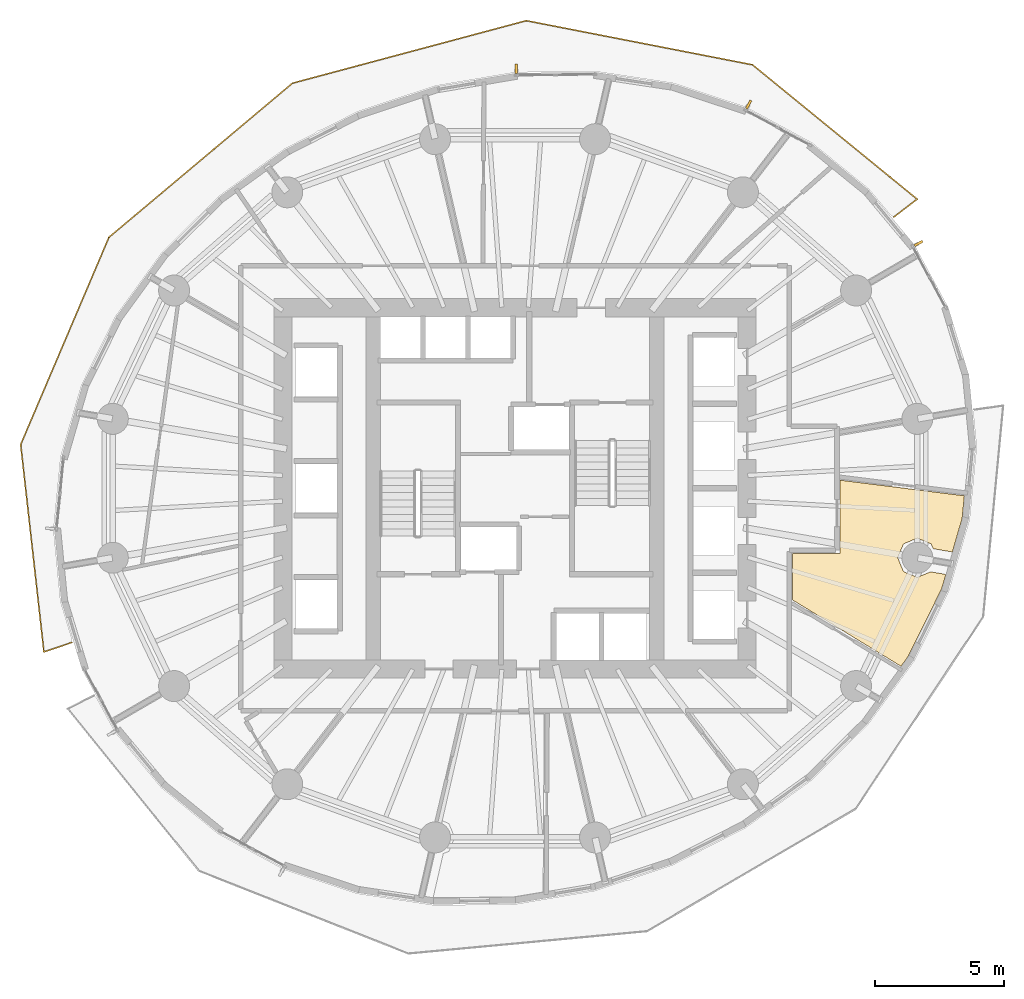
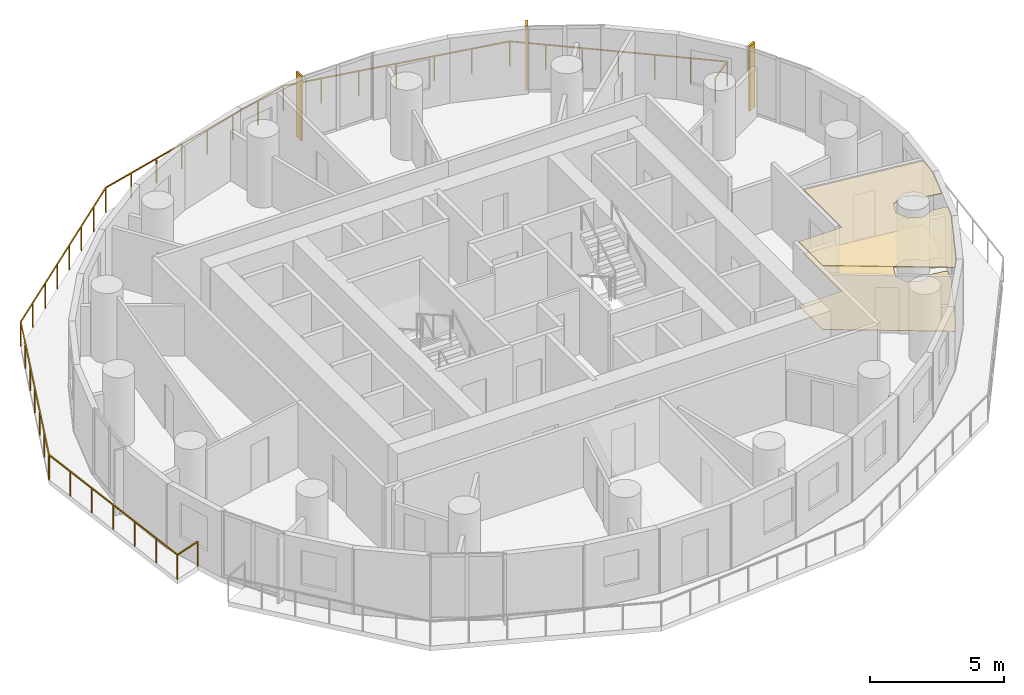
# One storey, part 14 of 14: 3 shading devices, 2 coverings, 1 railing.
"""IFC4 building model written with IfcOpenShell, lengths in metres."""

import ifcopenshell
import ifcopenshell.guid

model = None  # the IFC model being written
_history = None  # IfcOwnerHistory: only IFC2X3 demands one
_inside = {}  # id of a spatial element -> (the spatial element, [elements in it])
_under = {}  # id of a project, library or spatial element -> (it, [spatial elements below it])
_declared = {}  # id of a project -> (the project, [libraries it declares])
_typed = {}  # id of a type object -> (the type object, [elements of that type])
_made_of = {}  # id of a material, layer set ... -> (it, [elements and type objects made of it])


def new_model(schema):
    """Start an empty IFC model of exactly this schema.

    Asked for "IFC4X3", IfcOpenShell would pick the latest addendum, in which some entities
    have other attributes; the version numbers below select the first issue.
    IFC2X3 requires an IfcOwnerHistory on every rooted entity: one is made here for all.
    """
    global model, _history
    if schema == "IFC4X3":
        model = ifcopenshell.file(schema_version=(4, 3, 0, 0))
    else:
        model = ifcopenshell.file(schema=schema)
    _inside.clear()
    _under.clear()
    _declared.clear()
    _typed.clear()
    _made_of.clear()
    _history = None
    if model.schema == "IFC2X3":
        org = make("IfcOrganization", Name="unknown")
        user = make(
            "IfcPersonAndOrganization",
            ThePerson=make("IfcPerson", FamilyName="unknown"),
            TheOrganization=org,
        )
        app = make(
            "IfcApplication",
            ApplicationDeveloper=org,
            Version="unknown",
            ApplicationFullName="unknown",
            ApplicationIdentifier="unknown",
        )
        _history = make(
            "IfcOwnerHistory",
            OwningUser=user,
            OwningApplication=app,
            ChangeAction="ADDED",
            CreationDate=0,
        )
    return model


def make(cls, **values):
    """One entity of the class cls with the attributes given. An attribute that is None is left unset."""
    return model.create_entity(
        cls, **{name: value for name, value in values.items() if value is not None}
    )


def rooted(cls, **values):
    """An entity with a GlobalId (a new one), such as an element, a storey or a relation."""
    return make(cls, GlobalId=ifcopenshell.guid.new(), OwnerHistory=_history, **values)


def si_unit(unit_type, name, prefix=None):
    """IfcSIUnit, for example si_unit("LENGTHUNIT", "METRE", prefix="MILLI")."""
    return make("IfcSIUnit", UnitType=unit_type, Prefix=prefix, Name=name)


def assignment(units):
    """IfcUnitAssignment: the units of a project."""
    return None if units is None else make("IfcUnitAssignment", Units=units)


def point(xyz):
    """IfcCartesianPoint."""
    return None if xyz is None else make("IfcCartesianPoint", Coordinates=xyz)


def direction(xyz):
    """IfcDirection."""
    return None if xyz is None else make("IfcDirection", DirectionRatios=xyz)


def frame(location, z_axis=None, x_axis=None):
    """IfcAxis2Placement3D, a coordinate frame: its origin and axes. An axis left out is left unset."""
    return make(
        "IfcAxis2Placement3D",
        Location=point(location),
        Axis=direction(z_axis),
        RefDirection=direction(x_axis),
    )


def frame_2d(location, x_axis=None):
    """IfcAxis2Placement2D, a coordinate frame in the plane: its origin and x axis."""
    return make(
        "IfcAxis2Placement2D", Location=point(location), RefDirection=direction(x_axis)
    )


def origin():
    """The frame at (0, 0, 0) with its axes left unset."""
    return frame((0.0, 0.0, 0.0))


def origin_2d():
    """The frame at (0, 0) in the plane with its x axis left unset."""
    return frame_2d((0.0, 0.0))


def place(relative_to, where):
    """IfcLocalPlacement: puts the frame where relative to a parent placement (None: the world)."""
    return make(
        "IfcLocalPlacement", PlacementRelTo=relative_to, RelativePlacement=where
    )


def context(
    kind, dimensions, precision=None, world=None, true_north=None, identifier=None
):
    """IfcGeometricRepresentationContext, for example the 3D "Model" context."""
    return make(
        "IfcGeometricRepresentationContext",
        ContextIdentifier=identifier,
        ContextType=kind,
        CoordinateSpaceDimension=dimensions,
        Precision=precision,
        WorldCoordinateSystem=world,
        TrueNorth=true_north,
    )


def subcontext(parent, identifier, kind, view, scale=None):
    """IfcGeometricRepresentationSubContext, for example "Body" below "Model"."""
    return make(
        "IfcGeometricRepresentationSubContext",
        ContextIdentifier=identifier,
        ContextType=kind,
        ParentContext=parent,
        TargetScale=scale,
        TargetView=view,
    )


def project(units=None, contexts=None):
    """IfcProject with its units and contexts."""
    return rooted(
        "IfcProject",
        Name="project",
        RepresentationContexts=contexts,
        UnitsInContext=assignment(units),
    )


def spatial(cls, under=None, at=None, **own):
    """A site, building, storey or space (cls), placed at a placement, below another one or the project."""
    s = rooted(cls, ObjectPlacement=at, **own)
    if under is not None:
        _under.setdefault(under.id(), (under, []))[1].append(s)
    return s


def polyline(points):
    """IfcPolyline through the points."""
    return make("IfcPolyline", Points=[point(p) for p in points])


def profile(cls, at=None, kind="AREA", **sizes):
    """A parametric profile (cls). Its sizes go by their IFC names, for example OverallWidth=200.0."""
    return make(cls, ProfileType=kind, Position=at, **sizes)


def rectangle(**sizes):
    """IfcRectangleProfileDef."""
    return profile("IfcRectangleProfileDef", **sizes)


def outline(outer, holes=None, kind="AREA"):
    """IfcArbitraryClosedProfileDef: a profile drawn as a closed curve; with holes, ...WithVoids."""
    if holes is None:
        return make("IfcArbitraryClosedProfileDef", ProfileType=kind, OuterCurve=outer)
    return make(
        "IfcArbitraryProfileDefWithVoids",
        ProfileType=kind,
        OuterCurve=outer,
        InnerCurves=holes,
    )


def extrude(swept, where, along, depth):
    """IfcExtrudedAreaSolid: the profile swept, set in the frame where, extruded along a direction by depth."""
    return make(
        "IfcExtrudedAreaSolid",
        SweptArea=swept,
        Position=where,
        ExtrudedDirection=direction(along),
        Depth=depth,
    )


def shape(context_of_items, identifier, shape_type, items):
    """IfcShapeRepresentation: the items that make up one representation, for example the "Body"."""
    return make(
        "IfcShapeRepresentation",
        ContextOfItems=context_of_items,
        RepresentationIdentifier=identifier,
        RepresentationType=shape_type,
        Items=items,
    )


def material(Name=None, Category=None):
    """IfcMaterial."""
    return make("IfcMaterial", Name=Name, Category=Category)


def layer(
    of_material, thickness, ventilated=None, Name=None, Category=None, Priority=None
):
    """IfcMaterialLayer: one layer of a wall or slab, of a material (None: an air gap)."""
    return make(
        "IfcMaterialLayer",
        Material=of_material,
        LayerThickness=thickness,
        IsVentilated=ventilated,
        Name=Name,
        Category=Category,
        Priority=Priority,
    )


def layer_set(layers, Name=None):
    """IfcMaterialLayerSet."""
    return make("IfcMaterialLayerSet", MaterialLayers=layers, LayerSetName=Name)


def made_of(thing, what):
    """Note that an element or type object is made of a material, layer set ...; save() writes the relation."""
    if what is not None:
        _made_of.setdefault(what.id(), (what, []))[1].append(thing)
    return thing


def type_object(cls, material=None, **own):
    """A type object (cls), such as IfcWallType, which elements share."""
    return made_of(rooted(cls, **own), material)


def element(
    cls,
    number,
    at=None,
    inside=None,
    cuts=None,
    type_object=None,
    material=None,
    context=None,
    identifier="Body",
    shape_type=None,
    held_by="IfcProductDefinitionShape",
    body=None,
    shapes=None,
    **own,
):
    """One element of the class cls, such as IfcWall. Its Tag is "e" and its number.

    at: its placement. inside: the storey or other place that contains it. cuts: it is an
    opening in that element (IfcRelVoidsElement). A single representation is given by context,
    identifier, shape_type and body (its items); several are given by shapes. held_by: the class
    of the entity that holds the representations. save() writes the other relations.
    """
    e = rooted(cls, Tag="e%d" % number, ObjectPlacement=at, **own)
    if body is not None:
        shapes = [shape(context, identifier, shape_type, body)]
    if shapes is not None:
        e.Representation = make(held_by, Representations=shapes)
    if inside is not None:
        _inside.setdefault(inside.id(), (inside, []))[1].append(e)
    if cuts is not None:
        rooted(
            "IfcRelVoidsElement", RelatingBuildingElement=cuts, RelatedOpeningElement=e
        )
    if type_object is not None:
        _typed.setdefault(type_object.id(), (type_object, []))[1].append(e)
    return made_of(e, material)


def aggregate(whole, parts):
    """IfcRelAggregates: a whole, such as a stair, and the parts it consists of."""
    return rooted("IfcRelAggregates", RelatingObject=whole, RelatedObjects=parts)


def save(model, path):
    """Write the relations noted so far, then the file.

    IfcRelAggregates (storeys below a building ...), IfcRelContainedInSpatialStructure (elements
    in a storey), IfcRelDefinesByType, IfcRelAssociatesMaterial and IfcRelDeclares: one each for
    every whole, place, type object, material and project.
    """
    for whole, parts in _under.values():
        aggregate(whole, parts)
    for where, things in _inside.values():
        rooted(
            "IfcRelContainedInSpatialStructure",
            RelatedElements=things,
            RelatingStructure=where,
        )
    for kind, things in _typed.values():
        rooted("IfcRelDefinesByType", RelatedObjects=things, RelatingType=kind)
    for what, things in _made_of.values():
        rooted("IfcRelAssociatesMaterial", RelatedObjects=things, RelatingMaterial=what)
    for by, libraries in _declared.values():
        rooted("IfcRelDeclares", RelatingContext=by, RelatedDefinitions=libraries)
    model.write(path)


model = new_model("IFC4")

# Units and contexts
model_context = context("Model", 3, precision=1e-05, world=origin(), true_north=direction((0.0, 1.0)))
body_context = subcontext(model_context, "Body", "Model", "MODEL_VIEW")
ifc_project = project(units=[si_unit("LENGTHUNIT", "METRE"), si_unit("AREAUNIT", "SQUARE_METRE"), si_unit("VOLUMEUNIT", "CUBIC_METRE"), si_unit("PLANEANGLEUNIT", "RADIAN"), si_unit("MASSUNIT", "GRAM", prefix="KILO")], contexts=[model_context])

# Site, building, storey
site_placement = place(None, origin())
site = spatial("IfcSite", under=ifc_project, at=site_placement, CompositionType="ELEMENT")
building_placement = place(site_placement, origin())
building = spatial("IfcBuilding", under=site, at=building_placement, Name="Veldorim Arch Residences", CompositionType="ELEMENT")
storey_placement = place(building_placement, frame((0.0, 0.0, 99.679931640625)))
storey = spatial("IfcBuildingStorey", under=building, at=storey_placement, Name="L29", CompositionType="ELEMENT", Elevation=99.679931640625)

# Railing
ifc_material_1 = material(Name="Aluminium", Category="aluminium")
railing_type = type_object("IfcRailingType", Name="Balcony & Terrace Laminated Glass Balustrade 1150", PredefinedType="BALUSTRADE", material=ifc_material_1)
railing_placement = place(storey_placement, frame((46.677978515625, 34.51025390625, 0.0)))
element("IfcRailing", 1, at=railing_placement, inside=storey, type_object=railing_type, Name="L29 crescent balcony safety balustrade A", PredefinedType="BALUSTRADE", context=body_context, shape_type="SweptSolid", body=[
    extrude(rectangle(XDim=0.048095703125, YDim=0.048095703125, at=origin_2d()), frame((0.0, 0.0, 1.1259765625), z_axis=(0.793483347479, 0.608591962873, 0.0), x_axis=(-0.608591962873, 0.793483347479, 0.0)), (0.0, 0.0, 1.0), 1.150146484375),
    extrude(rectangle(XDim=0.048095703125, YDim=0.048095703125, at=origin_2d()), frame((0.91259765625, 0.699951171875, 1.1259765625), z_axis=(-0.774769908428, 0.632243298892, 0.0), x_axis=(-0.632243298892, -0.774769908428, 0.0)), (0.0, 0.0, 1.0), 8.2392578125),
    extrude(rectangle(XDim=0.048095703125, YDim=0.048095703125, at=origin_2d()), frame((-5.470947265625, 5.9091796875, 1.1259765625), z_axis=(-0.981481950654, 0.191554641136, 0.0), x_axis=(-0.191554641136, -0.981481950654, 0.0)), (0.0, 0.0, 1.0), 8.938232421875),
    extrude(rectangle(XDim=0.048095703125, YDim=0.048095703125, at=origin_2d()), frame((-14.24365234375, 7.621337890625, 1.1259765625), z_axis=(-0.966049452854, -0.25835722293, 0.0), x_axis=(0.25835722293, -0.966049452854, 0.0)), (0.0, 0.0, 1.0), 9.384521484375),
    extrude(rectangle(XDim=0.048095703125, YDim=0.048095703125, at=origin_2d()), frame((-23.3095703125, 5.19677734375, 1.1259765625), z_axis=(-0.765795425109, -0.643084261106, 0.0), x_axis=(0.643084261106, -0.765795425109, 0.0)), (0.0, 0.0, 1.0), 9.293212890625),
    extrude(rectangle(XDim=0.048095703125, YDim=0.048095703125, at=origin_2d()), frame((-30.42626953125, -0.779541015625, 1.1259765625), z_axis=(-0.391741994665, -0.920075110856, 0.0), x_axis=(0.920075110856, -0.391741994665, 0.0)), (0.0, 0.0, 1.0), 8.733154296875),
    extrude(rectangle(XDim=0.048095703125, YDim=0.048095703125, at=origin_2d()), frame((-33.847412109375, -8.814697265625, 1.1259765625), z_axis=(0.111365341627, -0.993779533239, 0.0), x_axis=(0.993779533239, 0.111365341627, 0.0)), (0.0, 0.0, 1.0), 8.091552734375),
    extrude(rectangle(XDim=0.048095703125, YDim=0.048095703125, at=origin_2d()), frame((-32.9462890625, -16.85595703125, 1.1259765625), z_axis=(0.947444831891, 0.31991919374, 0.0), x_axis=(-0.31991919374, 0.947444831891, 0.0)), (0.0, 0.0, 1.0), 1.150146484375),
    extrude(rectangle(XDim=0.0419921875, YDim=0.0419921875, at=origin_2d()), origin(), (0.0, 0.0, 1.0), 1.101806640625),
    extrude(rectangle(XDim=0.0419921875, YDim=0.0419921875, at=origin_2d()), frame((0.91259765625, 0.699951171875, 0.0)), (0.0, 0.0, 1.0), 1.101806640625),
    extrude(rectangle(XDim=0.0419921875, YDim=0.0419921875, at=origin_2d()), frame((-0.1513671875, 1.568115234375, 0.0)), (0.0, 0.0, 1.0), 1.101806640625),
    extrude(rectangle(XDim=0.0419921875, YDim=0.0419921875, at=origin_2d()), frame((-1.21533203125, 2.436279296875, 0.0)), (0.0, 0.0, 1.0), 1.101806640625),
    extrude(rectangle(XDim=0.0419921875, YDim=0.0419921875, at=origin_2d()), frame((-2.279296875, 3.3046875, 0.0)), (0.0, 0.0, 1.0), 1.101806640625),
    extrude(rectangle(XDim=0.0419921875, YDim=0.0419921875, at=origin_2d()), frame((-3.343017578125, 4.1728515625, 0.0)), (0.0, 0.0, 1.0), 1.101806640625),
    extrude(rectangle(XDim=0.0419921875, YDim=0.0419921875, at=origin_2d()), frame((-4.406982421875, 5.041015625, 0.0)), (0.0, 0.0, 1.0), 1.101806640625),
    extrude(rectangle(XDim=0.0419921875, YDim=0.0419921875, at=origin_2d()), frame((-5.470947265625, 5.9091796875, 0.0)), (0.0, 0.0, 1.0), 1.101806640625),
    extrude(rectangle(XDim=0.0419921875, YDim=0.0419921875, at=origin_2d()), frame((-6.93310546875, 6.194580078125, 0.0)), (0.0, 0.0, 1.0), 1.101806640625),
    extrude(rectangle(XDim=0.0419921875, YDim=0.0419921875, at=origin_2d()), frame((-8.395263671875, 6.47998046875, 0.0)), (0.0, 0.0, 1.0), 1.101806640625),
    extrude(rectangle(XDim=0.0419921875, YDim=0.0419921875, at=origin_2d()), frame((-9.857421875, 6.76513671875, 0.0)), (0.0, 0.0, 1.0), 1.101806640625),
    extrude(rectangle(XDim=0.0419921875, YDim=0.0419921875, at=origin_2d()), frame((-11.3193359375, 7.050537109375, 0.0)), (0.0, 0.0, 1.0), 1.101806640625),
    extrude(rectangle(XDim=0.0419921875, YDim=0.0419921875, at=origin_2d()), frame((-12.781494140625, 7.3359375, 0.0)), (0.0, 0.0, 1.0), 1.101806640625),
    extrude(rectangle(XDim=0.0419921875, YDim=0.0419921875, at=origin_2d()), frame((-14.24365234375, 7.621337890625, 0.0)), (0.0, 0.0, 1.0), 1.101806640625),
    extrude(rectangle(XDim=0.0419921875, YDim=0.0419921875, at=origin_2d()), frame((-15.538818359375, 7.27490234375, 0.0)), (0.0, 0.0, 1.0), 1.101806640625),
    extrude(rectangle(XDim=0.0419921875, YDim=0.0419921875, at=origin_2d()), frame((-16.833984375, 6.9287109375, 0.0)), (0.0, 0.0, 1.0), 1.101806640625),
    extrude(rectangle(XDim=0.0419921875, YDim=0.0419921875, at=origin_2d()), frame((-18.129150390625, 6.582275390625, 0.0)), (0.0, 0.0, 1.0), 1.101806640625),
    extrude(rectangle(XDim=0.0419921875, YDim=0.0419921875, at=origin_2d()), frame((-19.424072265625, 6.23583984375, 0.0)), (0.0, 0.0, 1.0), 1.101806640625),
    extrude(rectangle(XDim=0.0419921875, YDim=0.0419921875, at=origin_2d()), frame((-20.71923828125, 5.889404296875, 0.0)), (0.0, 0.0, 1.0), 1.101806640625),
    extrude(rectangle(XDim=0.0419921875, YDim=0.0419921875, at=origin_2d()), frame((-22.014404296875, 5.543212890625, 0.0)), (0.0, 0.0, 1.0), 1.101806640625),
    extrude(rectangle(XDim=0.0419921875, YDim=0.0419921875, at=origin_2d()), frame((-23.3095703125, 5.19677734375, 0.0)), (0.0, 0.0, 1.0), 1.101806640625),
    extrude(rectangle(XDim=0.0419921875, YDim=0.0419921875, at=origin_2d()), frame((-24.326171875, 4.343017578125, 0.0)), (0.0, 0.0, 1.0), 1.101806640625),
    extrude(rectangle(XDim=0.0419921875, YDim=0.0419921875, at=origin_2d()), frame((-25.343017578125, 3.4892578125, 0.0)), (0.0, 0.0, 1.0), 1.101806640625),
    extrude(rectangle(XDim=0.0419921875, YDim=0.0419921875, at=origin_2d()), frame((-26.359619140625, 2.635498046875, 0.0)), (0.0, 0.0, 1.0), 1.101806640625),
    extrude(rectangle(XDim=0.0419921875, YDim=0.0419921875, at=origin_2d()), frame((-27.376220703125, 1.78173828125, 0.0)), (0.0, 0.0, 1.0), 1.101806640625),
    extrude(rectangle(XDim=0.0419921875, YDim=0.0419921875, at=origin_2d()), frame((-28.392822265625, 0.927978515625, 0.0)), (0.0, 0.0, 1.0), 1.101806640625),
    extrude(rectangle(XDim=0.0419921875, YDim=0.0419921875, at=origin_2d()), frame((-29.40966796875, 0.07421875, 0.0)), (0.0, 0.0, 1.0), 1.101806640625),
    extrude(rectangle(XDim=0.0419921875, YDim=0.0419921875, at=origin_2d()), frame((-30.42626953125, -0.779541015625, 0.0)), (0.0, 0.0, 1.0), 1.101806640625),
    extrude(rectangle(XDim=0.0419921875, YDim=0.0419921875, at=origin_2d()), frame((-30.99658203125, -2.11865234375, 0.0)), (0.0, 0.0, 1.0), 1.101806640625),
    extrude(rectangle(XDim=0.0419921875, YDim=0.0419921875, at=origin_2d()), frame((-31.566650390625, -3.4580078125, 0.0)), (0.0, 0.0, 1.0), 1.101806640625),
    extrude(rectangle(XDim=0.0419921875, YDim=0.0419921875, at=origin_2d()), frame((-32.13671875, -4.797119140625, 0.0)), (0.0, 0.0, 1.0), 1.101806640625),
    extrude(rectangle(XDim=0.0419921875, YDim=0.0419921875, at=origin_2d()), frame((-32.70703125, -6.13623046875, 0.0)), (0.0, 0.0, 1.0), 1.101806640625),
    extrude(rectangle(XDim=0.0419921875, YDim=0.0419921875, at=origin_2d()), frame((-33.27734375, -7.4755859375, 0.0)), (0.0, 0.0, 1.0), 1.101806640625),
    extrude(rectangle(XDim=0.0419921875, YDim=0.0419921875, at=origin_2d()), frame((-33.847412109375, -8.814697265625, 0.0)), (0.0, 0.0, 1.0), 1.101806640625),
    extrude(rectangle(XDim=0.0419921875, YDim=0.0419921875, at=origin_2d()), frame((-33.697265625, -10.15478515625, 0.0)), (0.0, 0.0, 1.0), 1.101806640625),
    extrude(rectangle(XDim=0.0419921875, YDim=0.0419921875, at=origin_2d()), frame((-33.547119140625, -11.4951171875, 0.0)), (0.0, 0.0, 1.0), 1.101806640625),
    extrude(rectangle(XDim=0.0419921875, YDim=0.0419921875, at=origin_2d()), frame((-33.39697265625, -12.83544921875, 0.0)), (0.0, 0.0, 1.0), 1.101806640625),
    extrude(rectangle(XDim=0.0419921875, YDim=0.0419921875, at=origin_2d()), frame((-33.24658203125, -14.175537109375, 0.0)), (0.0, 0.0, 1.0), 1.101806640625),
    extrude(rectangle(XDim=0.0419921875, YDim=0.0419921875, at=origin_2d()), frame((-33.096435546875, -15.515625, 0.0)), (0.0, 0.0, 1.0), 1.101806640625),
    extrude(rectangle(XDim=0.0419921875, YDim=0.0419921875, at=origin_2d()), frame((-32.9462890625, -16.85595703125, 0.0)), (0.0, 0.0, 1.0), 1.101806640625),
    extrude(rectangle(XDim=0.0419921875, YDim=0.0419921875, at=origin_2d()), frame((-31.856689453125, -16.488037109375, 0.0)), (0.0, 0.0, 1.0), 1.101806640625),
])

# Coverings
ifc_material_2 = material(Name="Acoustic Gypsum & Mineral Fibre", Category="gypsum")
ifc_layer_1 = layer(ifc_material_2, 0.034912109375, Name="Perforated Acoustic Mineral-Fibre Ceiling 35")
ifc_layer_set_1 = layer_set([ifc_layer_1], Name="Acoustic Gypsum & Mineral Fibre")
covering_type_1 = type_object("IfcCoveringType", Name="Perforated Acoustic Mineral-Fibre Ceiling 35", PredefinedType="CEILING", material=ifc_layer_set_1)
covering_1_placement = place(storey_placement, frame((0.0, 0.0, 2.905029296875)))
element("IfcCovering", 2, at=covering_1_placement, inside=storey, type_object=covering_type_1, Name="L29 acoustic suspended ceiling 02", PredefinedType="CEILING", context=body_context, shape_type="SweptSolid", body=[
    extrude(outline(polyline([(48.69970703125, 20.660400390625), (48.53662109375, 20.099853515625), (47.23779296875, 17.478515625), (46.962890625, 17.1005859375), (42.75, 19.67578125), (42.75, 21.47998046875), (44.60009765625, 21.47998046875), (44.60009765625, 24.314453125), (49.41748046875, 23.708984375), (49.33251953125, 22.837646484375), (48.952392578125, 21.530029296875), (48.209228515625, 21.658203125), (48.1318359375, 21.84521484375), (47.594482421875, 22.067626953125), (47.05712890625, 21.84521484375), (46.834716796875, 21.307861328125), (47.05712890625, 20.7705078125), (47.594482421875, 20.5478515625), (48.111083984375, 20.761962890625), (48.69970703125, 20.660400390625)])), origin(), (0.0, 0.0, 1.0), 0.03515625),
])
ifc_material_3 = material(Name="Porcelain Ceramic Tile", Category="ceramic")
ifc_layer_2 = layer(ifc_material_3, 0.02001953125, Name="Slip-Resistant Porcelain & Vinyl Floor Finish 20")
ifc_layer_set_2 = layer_set([ifc_layer_2], Name="Porcelain Ceramic Tile")
covering_type_2 = type_object("IfcCoveringType", Name="Slip-Resistant Porcelain & Vinyl Floor Finish 20", PredefinedType="FLOORING", material=ifc_layer_set_2)
covering_2_placement = place(storey_placement, origin())
element("IfcCovering", 3, at=covering_2_placement, inside=storey, type_object=covering_type_2, Name="L29 porcelain floor finish 02", PredefinedType="FLOORING", context=body_context, shape_type="SweptSolid", body=[
    extrude(outline(polyline([(48.69970703125, 20.660400390625), (48.53662109375, 20.099853515625), (47.23779296875, 17.478515625), (46.962890625, 17.1005859375), (42.75, 19.67578125), (42.75, 21.47998046875), (44.60009765625, 21.47998046875), (44.60009765625, 24.314453125), (49.41748046875, 23.708984375), (49.33251953125, 22.837646484375), (48.952392578125, 21.530029296875), (48.209228515625, 21.658203125), (48.1318359375, 21.84521484375), (47.594482421875, 22.067626953125), (47.05712890625, 21.84521484375), (46.834716796875, 21.307861328125), (47.05712890625, 20.7705078125), (47.594482421875, 20.5478515625), (48.111083984375, 20.761962890625), (48.69970703125, 20.660400390625)])), origin(), (0.0, 0.0, 1.0), 0.02001953125),
])

# Shading devices
ifc_material_4 = material(Name="Terracotta Ceramic", Category="masonry")
ifc_layer_3 = layer(ifc_material_4, 0.090087890625, Name="Vertical Extruded Terracotta Baguette Sun-Shading Fin")
ifc_layer_set_3 = layer_set([ifc_layer_3], Name="Terracotta Ceramic")
shading_device_type = type_object("IfcShadingDeviceType", Name="Vertical Extruded Terracotta Baguette Sun-Shading Fin", PredefinedType="USERDEFINED", material=ifc_layer_set_3)
for number, where, z_axis, x_axis, name in (
    (4, (47.642333984375, 33.49365234375, 0.0), (0.0, 0.0, 1.0), (0.476084726767, -0.879399416044, 0.0), "L29 vertical terracotta sun-shading fin 01"),
    (5, (41.056396484375, 38.87841796875, 0.0), (0.0, 0.0, 1.0), (0.879399416044, -0.476084726767, 0.0), "L29 vertical terracotta sun-shading fin 04"),
    (6, (32.04931640625, 40.26708984375, 0.0), (0.0, 0.0, 1.0), (0.999937615001, 0.011169874929, 0.0), "L29 vertical terracotta sun-shading fin 07"),
):
    element("IfcShadingDevice", number, at=place(storey_placement, frame(where, z_axis=z_axis, x_axis=x_axis)), inside=storey, type_object=shading_device_type, Name=name, ObjectType="FIN", PredefinedType="USERDEFINED", context=body_context, shape_type="SweptSolid", body=[
        extrude(rectangle(XDim=0.090087890625, YDim=0.360107421875, at=origin_2d()), origin(), (0.0, 0.0, 1.0), 2.9599609375),
    ])

save(model, "model.ifc")
